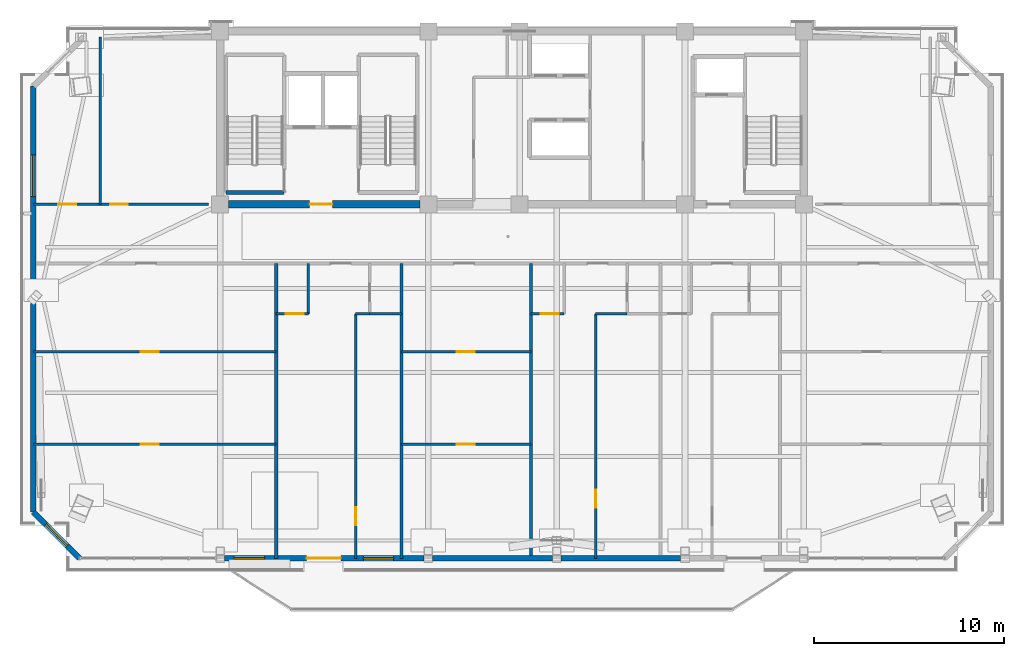
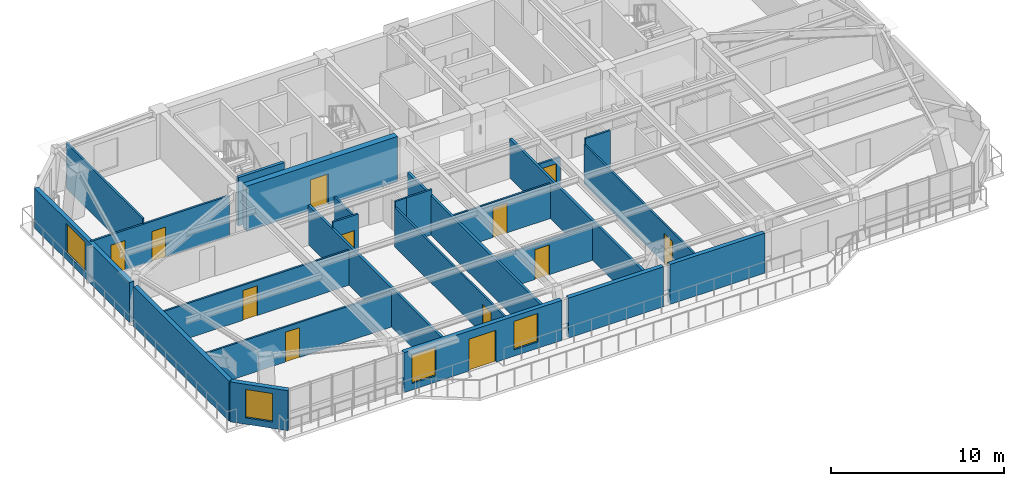
# One storey, part 7 of 15: 25 walls, 12 doors, 4 windows, 16 openings.
"""IFC4 building model written with IfcOpenShell, lengths in metres."""

import ifcopenshell
import ifcopenshell.guid

model = None  # the IFC model being written
_history = None  # IfcOwnerHistory: only IFC2X3 demands one
_inside = {}  # id of a spatial element -> (the spatial element, [elements in it])
_under = {}  # id of a project, library or spatial element -> (it, [spatial elements below it])
_declared = {}  # id of a project -> (the project, [libraries it declares])
_typed = {}  # id of a type object -> (the type object, [elements of that type])
_made_of = {}  # id of a material, layer set ... -> (it, [elements and type objects made of it])


def new_model(schema):
    """Start an empty IFC model of exactly this schema.

    Asked for "IFC4X3", IfcOpenShell would pick the latest addendum, in which some entities
    have other attributes; the version numbers below select the first issue.
    IFC2X3 requires an IfcOwnerHistory on every rooted entity: one is made here for all.
    """
    global model, _history
    if schema == "IFC4X3":
        model = ifcopenshell.file(schema_version=(4, 3, 0, 0))
    else:
        model = ifcopenshell.file(schema=schema)
    _inside.clear()
    _under.clear()
    _declared.clear()
    _typed.clear()
    _made_of.clear()
    _history = None
    if model.schema == "IFC2X3":
        org = make("IfcOrganization", Name="unknown")
        user = make(
            "IfcPersonAndOrganization",
            ThePerson=make("IfcPerson", FamilyName="unknown"),
            TheOrganization=org,
        )
        app = make(
            "IfcApplication",
            ApplicationDeveloper=org,
            Version="unknown",
            ApplicationFullName="unknown",
            ApplicationIdentifier="unknown",
        )
        _history = make(
            "IfcOwnerHistory",
            OwningUser=user,
            OwningApplication=app,
            ChangeAction="ADDED",
            CreationDate=0,
        )
    return model


def make(cls, **values):
    """One entity of the class cls with the attributes given. An attribute that is None is left unset."""
    return model.create_entity(
        cls, **{name: value for name, value in values.items() if value is not None}
    )


def rooted(cls, **values):
    """An entity with a GlobalId (a new one), such as an element, a storey or a relation."""
    return make(cls, GlobalId=ifcopenshell.guid.new(), OwnerHistory=_history, **values)


def si_unit(unit_type, name, prefix=None):
    """IfcSIUnit, for example si_unit("LENGTHUNIT", "METRE", prefix="MILLI")."""
    return make("IfcSIUnit", UnitType=unit_type, Prefix=prefix, Name=name)


def assignment(units):
    """IfcUnitAssignment: the units of a project."""
    return None if units is None else make("IfcUnitAssignment", Units=units)


def point(xyz):
    """IfcCartesianPoint."""
    return None if xyz is None else make("IfcCartesianPoint", Coordinates=xyz)


def direction(xyz):
    """IfcDirection."""
    return None if xyz is None else make("IfcDirection", DirectionRatios=xyz)


def frame(location, z_axis=None, x_axis=None):
    """IfcAxis2Placement3D, a coordinate frame: its origin and axes. An axis left out is left unset."""
    return make(
        "IfcAxis2Placement3D",
        Location=point(location),
        Axis=direction(z_axis),
        RefDirection=direction(x_axis),
    )


def frame_2d(location, x_axis=None):
    """IfcAxis2Placement2D, a coordinate frame in the plane: its origin and x axis."""
    return make(
        "IfcAxis2Placement2D", Location=point(location), RefDirection=direction(x_axis)
    )


def origin():
    """The frame at (0, 0, 0) with its axes left unset."""
    return frame((0.0, 0.0, 0.0))


def place(relative_to, where):
    """IfcLocalPlacement: puts the frame where relative to a parent placement (None: the world)."""
    return make(
        "IfcLocalPlacement", PlacementRelTo=relative_to, RelativePlacement=where
    )


def context(
    kind, dimensions, precision=None, world=None, true_north=None, identifier=None
):
    """IfcGeometricRepresentationContext, for example the 3D "Model" context."""
    return make(
        "IfcGeometricRepresentationContext",
        ContextIdentifier=identifier,
        ContextType=kind,
        CoordinateSpaceDimension=dimensions,
        Precision=precision,
        WorldCoordinateSystem=world,
        TrueNorth=true_north,
    )


def subcontext(parent, identifier, kind, view, scale=None):
    """IfcGeometricRepresentationSubContext, for example "Body" below "Model"."""
    return make(
        "IfcGeometricRepresentationSubContext",
        ContextIdentifier=identifier,
        ContextType=kind,
        ParentContext=parent,
        TargetScale=scale,
        TargetView=view,
    )


def project(units=None, contexts=None):
    """IfcProject with its units and contexts."""
    return rooted(
        "IfcProject",
        Name="project",
        RepresentationContexts=contexts,
        UnitsInContext=assignment(units),
    )


def spatial(cls, under=None, at=None, **own):
    """A site, building, storey or space (cls), placed at a placement, below another one or the project."""
    s = rooted(cls, ObjectPlacement=at, **own)
    if under is not None:
        _under.setdefault(under.id(), (under, []))[1].append(s)
    return s


def profile(cls, at=None, kind="AREA", **sizes):
    """A parametric profile (cls). Its sizes go by their IFC names, for example OverallWidth=200.0."""
    return make(cls, ProfileType=kind, Position=at, **sizes)


def rectangle(**sizes):
    """IfcRectangleProfileDef."""
    return profile("IfcRectangleProfileDef", **sizes)


def extrude(swept, where, along, depth):
    """IfcExtrudedAreaSolid: the profile swept, set in the frame where, extruded along a direction by depth."""
    return make(
        "IfcExtrudedAreaSolid",
        SweptArea=swept,
        Position=where,
        ExtrudedDirection=direction(along),
        Depth=depth,
    )


def shape(context_of_items, identifier, shape_type, items):
    """IfcShapeRepresentation: the items that make up one representation, for example the "Body"."""
    return make(
        "IfcShapeRepresentation",
        ContextOfItems=context_of_items,
        RepresentationIdentifier=identifier,
        RepresentationType=shape_type,
        Items=items,
    )


def source(mapping_origin, context_of_items, identifier, shape_type, items):
    """IfcRepresentationMap: a shape defined once, which mapped items show again and again."""
    return make(
        "IfcRepresentationMap",
        MappingOrigin=mapping_origin,
        MappedRepresentation=shape(context_of_items, identifier, shape_type, items),
    )


def transform(
    local_origin,
    x_axis=None,
    y_axis=None,
    z_axis=None,
    scale=None,
    scale2=None,
    scale3=None,
    uniform=True,
):
    """IfcCartesianTransformationOperator3D, or its non-uniform kind. x_axis, y_axis, z_axis: its Axis1, 2, 3."""
    if uniform:
        return make(
            "IfcCartesianTransformationOperator3D",
            Axis1=direction(x_axis),
            Axis2=direction(y_axis),
            LocalOrigin=point(local_origin),
            Scale=scale,
            Axis3=direction(z_axis),
        )
    return make(
        "IfcCartesianTransformationOperator3DnonUniform",
        Axis1=direction(x_axis),
        Axis2=direction(y_axis),
        LocalOrigin=point(local_origin),
        Scale=scale,
        Axis3=direction(z_axis),
        Scale2=scale2,
        Scale3=scale3,
    )


def mapped(mapping_source, mapping_target):
    """IfcMappedItem: shows the shape of a source again, moved by a transform."""
    return make(
        "IfcMappedItem", MappingSource=mapping_source, MappingTarget=mapping_target
    )


def material(Name=None, Category=None):
    """IfcMaterial."""
    return make("IfcMaterial", Name=Name, Category=Category)


def layer(
    of_material, thickness, ventilated=None, Name=None, Category=None, Priority=None
):
    """IfcMaterialLayer: one layer of a wall or slab, of a material (None: an air gap)."""
    return make(
        "IfcMaterialLayer",
        Material=of_material,
        LayerThickness=thickness,
        IsVentilated=ventilated,
        Name=Name,
        Category=Category,
        Priority=Priority,
    )


def layer_set(layers, Name=None):
    """IfcMaterialLayerSet."""
    return make("IfcMaterialLayerSet", MaterialLayers=layers, LayerSetName=Name)


def made_of(thing, what):
    """Note that an element or type object is made of a material, layer set ...; save() writes the relation."""
    if what is not None:
        _made_of.setdefault(what.id(), (what, []))[1].append(thing)
    return thing


def type_object(cls, material=None, **own):
    """A type object (cls), such as IfcWallType, which elements share."""
    return made_of(rooted(cls, **own), material)


def element(
    cls,
    number,
    at=None,
    inside=None,
    cuts=None,
    type_object=None,
    material=None,
    context=None,
    identifier="Body",
    shape_type=None,
    held_by="IfcProductDefinitionShape",
    body=None,
    shapes=None,
    **own,
):
    """One element of the class cls, such as IfcWall. Its Tag is "e" and its number.

    at: its placement. inside: the storey or other place that contains it. cuts: it is an
    opening in that element (IfcRelVoidsElement). A single representation is given by context,
    identifier, shape_type and body (its items); several are given by shapes. held_by: the class
    of the entity that holds the representations. save() writes the other relations.
    """
    e = rooted(cls, Tag="e%d" % number, ObjectPlacement=at, **own)
    if body is not None:
        shapes = [shape(context, identifier, shape_type, body)]
    if shapes is not None:
        e.Representation = make(held_by, Representations=shapes)
    if inside is not None:
        _inside.setdefault(inside.id(), (inside, []))[1].append(e)
    if cuts is not None:
        rooted(
            "IfcRelVoidsElement", RelatingBuildingElement=cuts, RelatedOpeningElement=e
        )
    if type_object is not None:
        _typed.setdefault(type_object.id(), (type_object, []))[1].append(e)
    return made_of(e, material)


def fill(opening, filler):
    """IfcRelFillsElement: the door or window that sits in an opening."""
    return rooted(
        "IfcRelFillsElement",
        RelatingOpeningElement=opening,
        RelatedBuildingElement=filler,
    )


def aggregate(whole, parts):
    """IfcRelAggregates: a whole, such as a stair, and the parts it consists of."""
    return rooted("IfcRelAggregates", RelatingObject=whole, RelatedObjects=parts)


def save(model, path):
    """Write the relations noted so far, then the file.

    IfcRelAggregates (storeys below a building ...), IfcRelContainedInSpatialStructure (elements
    in a storey), IfcRelDefinesByType, IfcRelAssociatesMaterial and IfcRelDeclares: one each for
    every whole, place, type object, material and project.
    """
    for whole, parts in _under.values():
        aggregate(whole, parts)
    for where, things in _inside.values():
        rooted(
            "IfcRelContainedInSpatialStructure",
            RelatedElements=things,
            RelatingStructure=where,
        )
    for kind, things in _typed.values():
        rooted("IfcRelDefinesByType", RelatedObjects=things, RelatingType=kind)
    for what, things in _made_of.values():
        rooted("IfcRelAssociatesMaterial", RelatedObjects=things, RelatingMaterial=what)
    for by, libraries in _declared.values():
        rooted("IfcRelDeclares", RelatingContext=by, RelatedDefinitions=libraries)
    model.write(path)


model = new_model("IFC4")

# Units and contexts
model_context = context("Model", 3, precision=1e-05, world=origin(), true_north=direction((0.0, 1.0)))
body_context = subcontext(model_context, "Body", "Model", "MODEL_VIEW")
ifc_project = project(units=[si_unit("LENGTHUNIT", "METRE"), si_unit("AREAUNIT", "SQUARE_METRE"), si_unit("VOLUMEUNIT", "CUBIC_METRE"), si_unit("PLANEANGLEUNIT", "RADIAN"), si_unit("MASSUNIT", "GRAM", prefix="KILO")], contexts=[model_context])

# Site, building, storey
site_placement = place(None, origin())
site = spatial("IfcSite", under=ifc_project, at=site_placement, CompositionType="ELEMENT")
building_placement = place(site_placement, origin())
building = spatial("IfcBuilding", under=site, at=building_placement, Name="Giltprow Tower", CompositionType="ELEMENT")
storey_placement = place(building_placement, frame((0.0, 0.0, 300.60009765625)))
storey = spatial("IfcBuildingStorey", under=building, at=storey_placement, Name="L77", CompositionType="ELEMENT", Elevation=300.60009765625)

# Wall, opening, window
ifc_material_1 = material(Name="Precast concrete C40", Category="concrete")
ifc_layer_1 = layer(ifc_material_1, 0.300048828125, Name="Precast concrete C40")
ifc_layer_set_1 = layer_set([ifc_layer_1], Name="Precast concrete C40")
wall_type_1 = type_object("IfcWallType", Name="EW-NOTCH-CHAMFER-300", PredefinedType="SOLIDWALL", material=ifc_layer_set_1)
wall_1_placement = place(storey_placement, frame((10.02392578125, 21.27197265625, 0.0), z_axis=(0.0, 0.0, 1.0), x_axis=(0.707142286536, -0.707071274055, 0.0)))
wall_1 = element("IfcWall", 1, at=wall_1_placement, inside=storey, type_object=wall_type_1, Name="L77 Corner Notch Wall SW", PredefinedType="SOLIDWALL", context=body_context, shape_type="SweptSolid", body=[
    extrude(rectangle(XDim=3.43798828125, YDim=0.300048828125, at=frame_2d((1.718994140625, 0.0))), origin(), (0.0, 0.0, 1.0), 2.81494140625),
])
opening_1_placement = place(wall_1_placement, frame((0.9189453125, 0.0, 0.449951171875)))
opening_1 = element("IfcOpeningElement", 2, at=opening_1_placement, cuts=wall_1, Name="Opening WN17", PredefinedType="OPENING", context=body_context, shape_type="SweptSolid", body=[
    extrude(rectangle(XDim=1.60009765625, YDim=2.0, at=frame_2d((0.800048828125, 1.0))), frame((0.0, 0.159912109375, 0.0), z_axis=(0.0, -1.0, 0.0), x_axis=(1.0, 0.0, 0.0)), (0.0, 0.0, 1.0), 0.320068359375),
])
ifc_material_2 = material(Name="Insulated glass", Category="glass")
window_type_1 = type_object("IfcWindowType", Name="WN-COR-1600x2000", PartitioningType="SINGLE_PANEL", PredefinedType="WINDOW", material=ifc_material_2)
shared_shape_1 = source(origin(), body_context, "Body", "SweptSolid", [
    extrude(rectangle(XDim=1.60009765625, YDim=2.0, at=frame_2d((0.800048828125, 1.0))), frame((0.0, 0.030029296875, 0.0), z_axis=(0.0, -1.0, 0.0), x_axis=(1.0, 0.0, 0.0)), (0.0, 0.0, 1.0), 0.06005859375),
])
window_1_placement = place(opening_1_placement, origin())
window_1 = element("IfcWindow", 3, at=window_1_placement, inside=storey, type_object=window_type_1, Name="L77 Corner Notch Window SW", OverallHeight=2.0, OverallWidth=1.60009765625, PartitioningType="SINGLE_PANEL", PredefinedType="WINDOW", context=body_context, shape_type="MappedRepresentation", body=[
    mapped(shared_shape_1, transform((0.0, 0.0, 0.0), x_axis=(1.0, 0.0, 0.0), y_axis=(0.0, 1.0, 0.0), z_axis=(0.0, 0.0, 1.0), scale=1.0)),
])
fill(opening_1, window_1)

# Wall, openings, windows, door
ifc_layer_2 = layer(ifc_material_1, 0.280029296875, Name="Precast concrete C40")
ifc_layer_set_2 = layer_set([ifc_layer_2], Name="Precast concrete C40")
wall_type_2 = type_object("IfcWallType", Name="EW-TOW-BRONZE-280", PredefinedType="SOLIDWALL", material=ifc_layer_set_2)
wall_2_placement = place(storey_placement, frame((20.074951171875, 18.841064453125, 0.0), z_axis=(0.0, 0.0, 1.0), x_axis=(1.0, 0.0, 0.0)))
wall_2 = element("IfcWall", 4, at=wall_2_placement, inside=storey, type_object=wall_type_2, Name="L77 South Expressed Frame Wall 2", PredefinedType="SOLIDWALL", context=body_context, shape_type="SweptSolid", body=[
    extrude(rectangle(XDim=10.5, YDim=0.280029296875, at=frame_2d((5.25, 0.0))), origin(), (0.0, 0.0, 1.0), 2.81494140625),
])
opening_2_placement = place(wall_2_placement, frame((4.324951171875, 0.0, 0.0)))
opening_2 = element("IfcOpeningElement", 5, at=opening_2_placement, cuts=wall_2, Name="Opening ED25", PredefinedType="OPENING", context=body_context, shape_type="SweptSolid", body=[
    extrude(rectangle(XDim=1.800048828125, YDim=2.25, at=frame_2d((0.89990234375, 1.125))), frame((0.0, 0.14990234375, 0.0), z_axis=(0.0, -1.0, 0.0), x_axis=(1.0, 0.0, 0.0)), (0.0, 0.0, 1.0), 0.300048828125),
])
opening_3_placement = place(wall_2_placement, frame((0.51708984375, 0.0, 0.449951171875)))
opening_3 = element("IfcOpeningElement", 6, at=opening_3_placement, cuts=wall_2, Name="Opening WN17", PredefinedType="OPENING", context=body_context, shape_type="SweptSolid", body=[
    extrude(rectangle(XDim=1.60009765625, YDim=2.0, at=frame_2d((0.800048828125, 1.0))), frame((0.0, 0.14990234375, 0.0), z_axis=(0.0, -1.0, 0.0), x_axis=(1.0, 0.0, 0.0)), (0.0, 0.0, 1.0), 0.300048828125),
])
opening_4_placement = place(wall_2_placement, frame((7.304931640625, 0.0, 0.449951171875)))
opening_4 = element("IfcOpeningElement", 7, at=opening_4_placement, cuts=wall_2, Name="Opening WN17", PredefinedType="OPENING", context=body_context, shape_type="SweptSolid", body=[
    extrude(rectangle(XDim=1.60009765625, YDim=2.0, at=frame_2d((0.800048828125, 1.0))), frame((0.0, 0.14990234375, 0.0), z_axis=(0.0, -1.0, 0.0), x_axis=(1.0, 0.0, 0.0)), (0.0, 0.0, 1.0), 0.300048828125),
])
window_2_placement = place(opening_3_placement, origin())
window_2 = element("IfcWindow", 8, at=window_2_placement, inside=storey, type_object=window_type_1, Name="L77 South Window 2A", OverallHeight=2.0, OverallWidth=1.60009765625, PartitioningType="SINGLE_PANEL", PredefinedType="WINDOW", context=body_context, shape_type="MappedRepresentation", body=[
    mapped(shared_shape_1, transform((0.0, 0.0, 0.0), x_axis=(1.0, 0.0, 0.0), y_axis=(0.0, 1.0, 0.0), z_axis=(0.0, 0.0, 1.0), scale=1.0)),
])
fill(opening_3, window_2)
window_3_placement = place(opening_4_placement, origin())
window_3 = element("IfcWindow", 9, at=window_3_placement, inside=storey, type_object=window_type_1, Name="L77 South Window 2B", OverallHeight=2.0, OverallWidth=1.60009765625, PartitioningType="SINGLE_PANEL", PredefinedType="WINDOW", context=body_context, shape_type="MappedRepresentation", body=[
    mapped(shared_shape_1, transform((0.0, 0.0, 0.0), x_axis=(1.0, 0.0, 0.0), y_axis=(0.0, 1.0, 0.0), z_axis=(0.0, 0.0, 1.0), scale=1.0)),
])
fill(opening_4, window_3)
ifc_material_3 = material(Name="Anodized bronze and glass", Category="glass")
door_type_1 = type_object("IfcDoorType", Name="DR-BALC-SLIDE-1800", OperationType="SLIDING_TO_LEFT", PredefinedType="DOOR", material=ifc_material_3)
shared_shape_2 = source(origin(), body_context, "Body", "SweptSolid", [
    extrude(rectangle(XDim=1.800048828125, YDim=2.25, at=frame_2d((0.89990234375, 1.125))), frame((0.0, 0.02490234375, 0.0), z_axis=(0.0, -1.0, 0.0), x_axis=(1.0, 0.0, 0.0)), (0.0, 0.0, 1.0), 0.050048828125),
])
door_1_placement = place(opening_2_placement, origin())
door_1 = element("IfcDoor", 10, at=door_1_placement, inside=storey, type_object=door_type_1, Name="L77 Waterfront Balcony Sliding Door 1", OperationType="SLIDING_TO_LEFT", OverallHeight=2.25, OverallWidth=1.800048828125, PredefinedType="DOOR", context=body_context, shape_type="MappedRepresentation", body=[
    mapped(shared_shape_2, transform((0.0, 0.0, 0.0), x_axis=(1.0, 0.0, 0.0), y_axis=(0.0, 1.0, 0.0), z_axis=(0.0, 0.0, 1.0), scale=1.0)),
])
fill(opening_2, door_1)

# Walls
for number, where, z_axis, x_axis, name in (
    (11, (31.02490234375, 18.841064453125, 0.0), (0.0, 0.0, 1.0), (1.0, 0.0, 0.0), "L77 South Expressed Frame Wall 3"),
    (12, (37.77490234375, 18.841064453125, 0.0), (0.0, 0.0, 1.0), (1.0, 0.0, 0.0), "L77 South Expressed Frame Wall 4"),
):
    element("IfcWall", number, at=place(storey_placement, frame(where, z_axis=z_axis, x_axis=x_axis)), inside=storey, type_object=wall_type_2, Name=name, PredefinedType="SOLIDWALL", context=body_context, shape_type="SweptSolid", body=[
        extrude(rectangle(XDim=6.300048828125, YDim=0.280029296875, at=frame_2d((3.14990234375, 0.0))), origin(), (0.0, 0.0, 1.0), 2.81494140625),
    ])
wall_3_placement = place(storey_placement, frame((10.02392578125, 21.27197265625, 0.0), z_axis=(0.0, 0.0, 1.0), x_axis=(0.0, 1.0, 0.0)))
element("IfcWall", 13, at=wall_3_placement, inside=storey, type_object=wall_type_2, Name="L77 W Wing Masonry Wall 1", PredefinedType="SOLIDWALL", context=body_context, shape_type="SweptSolid", body=[
    extrude(rectangle(XDim=10.97412109375, YDim=0.280029296875, at=frame_2d((5.487060546875, 0.0))), origin(), (0.0, 0.0, 1.0), 2.81494140625),
])

# Wall, opening, window
wall_4_placement = place(storey_placement, frame((10.02392578125, 32.696044921875, 0.0), z_axis=(0.0, 0.0, 1.0), x_axis=(0.0, 1.0, 0.0)))
wall_4 = element("IfcWall", 14, at=wall_4_placement, inside=storey, type_object=wall_type_2, Name="L77 W Wing Masonry Wall 2", PredefinedType="SOLIDWALL", context=body_context, shape_type="SweptSolid", body=[
    extrude(rectangle(XDim=10.972900390625, YDim=0.280029296875, at=frame_2d((5.486328125, 0.0))), origin(), (0.0, 0.0, 1.0), 2.81494140625),
])
opening_5_placement = place(wall_4_placement, frame((5.158935546875, 0.0, 0.449951171875)))
opening_5 = element("IfcOpeningElement", 15, at=opening_5_placement, cuts=wall_4, Name="Opening WN27", PredefinedType="OPENING", context=body_context, shape_type="SweptSolid", body=[
    extrude(rectangle(XDim=2.199951171875, YDim=2.10009765625, at=frame_2d((1.10009765625, 1.050048828125))), frame((0.0, 0.14990234375, 0.0), z_axis=(0.0, -1.0, 0.0), x_axis=(1.0, 0.0, 0.0)), (0.0, 0.0, 1.0), 0.300048828125),
])
window_type_2 = type_object("IfcWindowType", Name="WN-RES-2200x2100", PartitioningType="TRIPLE_PANEL_VERTICAL", PredefinedType="WINDOW", material=ifc_material_2)
shared_shape_3 = source(origin(), body_context, "Body", "SweptSolid", [
    extrude(rectangle(XDim=2.199951171875, YDim=2.10009765625, at=frame_2d((1.10009765625, 1.050048828125))), frame((0.0, 0.030029296875, 0.0), z_axis=(0.0, -1.0, 0.0), x_axis=(1.0, 0.0, 0.0)), (0.0, 0.0, 1.0), 0.06005859375),
])
window_4_placement = place(opening_5_placement, origin())
window_4 = element("IfcWindow", 16, at=window_4_placement, inside=storey, type_object=window_type_2, Name="L77 W Wing Window 2-1", OverallHeight=2.10009765625, OverallWidth=2.199951171875, PartitioningType="SINGLE_PANEL", PredefinedType="WINDOW", context=body_context, shape_type="MappedRepresentation", body=[
    mapped(shared_shape_3, transform((0.0, 0.0, 0.0), x_axis=(1.0, 0.0, 0.0), y_axis=(0.0, 1.0, 0.0), z_axis=(0.0, 0.0, 1.0), scale=1.0)),
])
fill(opening_5, window_4)

# Walls
ifc_material_4 = material(Name="Gypsum stud partition", Category="gypsum")
ifc_layer_3 = layer(ifc_material_4, 0.159912109375, Name="Gypsum stud partition")
ifc_layer_set_3 = layer_set([ifc_layer_3], Name="Gypsum stud partition")
wall_type_3 = type_object("IfcWallType", Name="IW-DEMISE-160", PredefinedType="PARTITIONING", material=ifc_layer_set_3)
for number, where, z_axis, x_axis, name in (
    (17, (22.800048828125, 18.841064453125, 0.0), (0.0, 0.0, 1.0), (0.0, 1.0, 0.0), "L77 Apartment Party Wall 1"),
    (18, (29.39990234375, 18.841064453125, 0.0), (0.0, 0.0, 1.0), (0.0, 1.0, 0.0), "L77 Apartment Party Wall 2"),
    (19, (36.199951171875, 18.841064453125, 0.0), (0.0, 0.0, 1.0), (0.0, 1.0, 0.0), "L77 Apartment Party Wall 3"),
):
    element("IfcWall", number, at=place(storey_placement, frame(where, z_axis=z_axis, x_axis=x_axis)), inside=storey, type_object=wall_type_3, Name=name, PredefinedType="PARTITIONING", context=body_context, shape_type="SweptSolid", body=[
        extrude(rectangle(XDim=15.509033203125, YDim=0.159912109375, at=frame_2d((7.75439453125, 0.0))), origin(), (0.0, 0.0, 1.0), 2.77001953125),
    ])

# Wall, opening, door
ifc_layer_4 = layer(ifc_material_4, 0.1201171875, Name="Gypsum stud partition")
ifc_layer_set_4 = layer_set([ifc_layer_4], Name="Gypsum stud partition")
wall_type_4 = type_object("IfcWallType", Name="IW-ROOM-120", PredefinedType="PARTITIONING", material=ifc_layer_set_4)
wall_5_placement = place(storey_placement, frame((10.02392578125, 24.8330078125, 0.0), z_axis=(0.0, 0.0, 1.0), x_axis=(1.0, 0.0, 0.0)))
wall_5 = element("IfcWall", 20, at=wall_5_placement, inside=storey, type_object=wall_type_4, Name="L77 Special Split 1", PredefinedType="PARTITIONING", context=body_context, shape_type="SweptSolid", body=[
    extrude(rectangle(XDim=12.776123046875, YDim=0.1201171875, at=frame_2d((6.38818359375, 0.0))), origin(), (0.0, 0.0, 1.0), 2.469970703125),
])
opening_6_placement = place(wall_5_placement, frame((5.64599609375, 0.0, 0.0)))
opening_6 = element("IfcOpeningElement", 21, at=opening_6_placement, cuts=wall_5, Name="Opening ID11", PredefinedType="OPENING", context=body_context, shape_type="SweptSolid", body=[
    extrude(rectangle(XDim=0.949951171875, YDim=2.10009765625, at=frame_2d((0.47509765625, 1.050048828125))), frame((0.0, 0.070068359375, 0.0), z_axis=(0.0, -1.0, 0.0), x_axis=(1.0, 0.0, 0.0)), (0.0, 0.0, 1.0), 0.14013671875),
])
ifc_material_5 = material(Name="Engineered timber", Category="wood")
door_type_2 = type_object("IfcDoorType", Name="DR-ROOM-950", OperationType="SINGLE_SWING_RIGHT", PredefinedType="DOOR", material=ifc_material_5)
shared_shape_4 = source(origin(), body_context, "Body", "SweptSolid", [
    extrude(rectangle(XDim=0.949951171875, YDim=2.10009765625, at=frame_2d((0.47509765625, 1.050048828125))), frame((0.0, 0.02490234375, 0.0), z_axis=(0.0, -1.0, 0.0), x_axis=(1.0, 0.0, 0.0)), (0.0, 0.0, 1.0), 0.050048828125),
])
door_2_placement = place(opening_6_placement, origin())
door_2 = element("IfcDoor", 22, at=door_2_placement, inside=storey, type_object=door_type_2, Name="L77 Altitude Pilates Gym 1 South Door", OperationType="SINGLE_SWING_LEFT", OverallHeight=2.10009765625, OverallWidth=0.949951171875, PredefinedType="DOOR", context=body_context, shape_type="MappedRepresentation", body=[
    mapped(shared_shape_4, transform((0.0, 0.0, 0.0), x_axis=(1.0, 0.0, 0.0), y_axis=(0.0, 1.0, 0.0), z_axis=(0.0, 0.0, 1.0), scale=1.0)),
])
fill(opening_6, door_2)

wall_6_placement = place(storey_placement, frame((10.02392578125, 29.695068359375, 0.0), z_axis=(0.0, 0.0, 1.0), x_axis=(1.0, 0.0, 0.0)))
wall_6 = element("IfcWall", 23, at=wall_6_placement, inside=storey, type_object=wall_type_4, Name="L77 Special Split 2", PredefinedType="PARTITIONING", context=body_context, shape_type="SweptSolid", body=[
    extrude(rectangle(XDim=12.776123046875, YDim=0.1201171875, at=frame_2d((6.38818359375, 0.0))), origin(), (0.0, 0.0, 1.0), 2.469970703125),
])
opening_7_placement = place(wall_6_placement, frame((5.64599609375, 0.0, 0.0)))
opening_7 = element("IfcOpeningElement", 24, at=opening_7_placement, cuts=wall_6, Name="Opening ID11", PredefinedType="OPENING", context=body_context, shape_type="SweptSolid", body=[
    extrude(rectangle(XDim=0.949951171875, YDim=2.10009765625, at=frame_2d((0.47509765625, 1.050048828125))), frame((0.0, 0.070068359375, 0.0), z_axis=(0.0, -1.0, 0.0), x_axis=(1.0, 0.0, 0.0)), (0.0, 0.0, 1.0), 0.14013671875),
])
door_3_placement = place(opening_7_placement, origin())
door_3 = element("IfcDoor", 25, at=door_3_placement, inside=storey, type_object=door_type_2, Name="L77 Altitude Pilates Gym 1 Mid Door", OperationType="SINGLE_SWING_RIGHT", OverallHeight=2.10009765625, OverallWidth=0.949951171875, PredefinedType="DOOR", context=body_context, shape_type="MappedRepresentation", body=[
    mapped(shared_shape_4, transform((0.0, 0.0, 0.0), x_axis=(1.0, 0.0, 0.0), y_axis=(0.0, 1.0, 0.0), z_axis=(0.0, 0.0, 1.0), scale=1.0)),
])
fill(opening_7, door_3)

# Wall
wall_7_placement = place(storey_placement, frame((26.97998046875, 31.699951171875, 0.0), z_axis=(0.0, 0.0, 1.0), x_axis=(1.0, 0.0, 0.0)))
element("IfcWall", 26, at=wall_7_placement, inside=storey, type_object=wall_type_4, Name="L77 Unit 1 Bedroom North Wall", PredefinedType="PARTITIONING", context=body_context, shape_type="SweptSolid", body=[
    extrude(rectangle(XDim=0.72998046875, YDim=0.1201171875, at=frame_2d((0.364990234375, 0.0))), origin(), (0.0, 0.0, 1.0), 3.184814453125),
])

# Wall, opening, door
wall_8_placement = place(storey_placement, frame((26.97998046875, 18.841064453125, 0.0), z_axis=(0.0, 0.0, 1.0), x_axis=(0.0, 1.0, 0.0)))
wall_8 = element("IfcWall", 27, at=wall_8_placement, inside=storey, type_object=wall_type_4, Name="L77 Unit 1 Bedroom Wall", PredefinedType="PARTITIONING", context=body_context, shape_type="SweptSolid", body=[
    extrude(rectangle(XDim=12.85888671875, YDim=0.1201171875, at=frame_2d((6.429443359375, 0.0))), origin(), (0.0, 0.0, 1.0), 2.77001953125),
])
opening_8_placement = place(wall_8_placement, frame((1.73095703125, 0.0, 0.0)))
opening_8 = element("IfcOpeningElement", 28, at=opening_8_placement, cuts=wall_8, Name="Opening ID11", PredefinedType="OPENING", context=body_context, shape_type="SweptSolid", body=[
    extrude(rectangle(XDim=0.949951171875, YDim=2.10009765625, at=frame_2d((0.47509765625, 1.050048828125))), frame((0.0, 0.070068359375, 0.0), z_axis=(0.0, -1.0, 0.0), x_axis=(1.0, 0.0, 0.0)), (0.0, 0.0, 1.0), 0.14013671875),
])
door_4_placement = place(opening_8_placement, origin())
door_4 = element("IfcDoor", 29, at=door_4_placement, inside=storey, type_object=door_type_2, Name="L77 Unit 1 Primary Bedroom Door", OperationType="SINGLE_SWING_LEFT", OverallHeight=2.10009765625, OverallWidth=0.949951171875, PredefinedType="DOOR", context=body_context, shape_type="MappedRepresentation", body=[
    mapped(shared_shape_4, transform((0.0, 0.0, 0.0), x_axis=(1.0, 0.0, 0.0), y_axis=(0.0, 1.0, 0.0), z_axis=(0.0, 0.0, 1.0), scale=1.0)),
])
fill(opening_8, door_4)

wall_9_placement = place(storey_placement, frame((29.39990234375, 24.8330078125, 0.0), z_axis=(0.0, 0.0, 1.0), x_axis=(1.0, 0.0, 0.0)))
wall_9 = element("IfcWall", 30, at=wall_9_placement, inside=storey, type_object=wall_type_4, Name="L77 Special Split 1", PredefinedType="PARTITIONING", context=body_context, shape_type="SweptSolid", body=[
    extrude(rectangle(XDim=6.800048828125, YDim=0.1201171875, at=frame_2d((3.39990234375, 0.0))), origin(), (0.0, 0.0, 1.0), 2.469970703125),
])
opening_9_placement = place(wall_9_placement, frame((2.885986328125, 0.0, 0.0)))
opening_9 = element("IfcOpeningElement", 31, at=opening_9_placement, cuts=wall_9, Name="Opening ID11", PredefinedType="OPENING", context=body_context, shape_type="SweptSolid", body=[
    extrude(rectangle(XDim=0.949951171875, YDim=2.10009765625, at=frame_2d((0.47509765625, 1.050048828125))), frame((0.0, 0.070068359375, 0.0), z_axis=(0.0, -1.0, 0.0), x_axis=(1.0, 0.0, 0.0)), (0.0, 0.0, 1.0), 0.14013671875),
])
door_5_placement = place(opening_9_placement, origin())
door_5 = element("IfcDoor", 32, at=door_5_placement, inside=storey, type_object=door_type_2, Name="L77 Meditation Gym 2 South Door", OperationType="SINGLE_SWING_RIGHT", OverallHeight=2.10009765625, OverallWidth=0.949951171875, PredefinedType="DOOR", context=body_context, shape_type="MappedRepresentation", body=[
    mapped(shared_shape_4, transform((0.0, 0.0, 0.0), x_axis=(1.0, 0.0, 0.0), y_axis=(0.0, 1.0, 0.0), z_axis=(0.0, 0.0, 1.0), scale=1.0)),
])
fill(opening_9, door_5)

wall_10_placement = place(storey_placement, frame((29.39990234375, 29.695068359375, 0.0), z_axis=(0.0, 0.0, 1.0), x_axis=(1.0, 0.0, 0.0)))
wall_10 = element("IfcWall", 33, at=wall_10_placement, inside=storey, type_object=wall_type_4, Name="L77 Special Split 2", PredefinedType="PARTITIONING", context=body_context, shape_type="SweptSolid", body=[
    extrude(rectangle(XDim=6.800048828125, YDim=0.1201171875, at=frame_2d((3.39990234375, 0.0))), origin(), (0.0, 0.0, 1.0), 2.469970703125),
])
opening_10_placement = place(wall_10_placement, frame((2.885986328125, 0.0, 0.0)))
opening_10 = element("IfcOpeningElement", 34, at=opening_10_placement, cuts=wall_10, Name="Opening ID11", PredefinedType="OPENING", context=body_context, shape_type="SweptSolid", body=[
    extrude(rectangle(XDim=0.949951171875, YDim=2.10009765625, at=frame_2d((0.47509765625, 1.050048828125))), frame((0.0, 0.070068359375, 0.0), z_axis=(0.0, -1.0, 0.0), x_axis=(1.0, 0.0, 0.0)), (0.0, 0.0, 1.0), 0.14013671875),
])
door_6_placement = place(opening_10_placement, origin())
door_6 = element("IfcDoor", 35, at=door_6_placement, inside=storey, type_object=door_type_2, Name="L77 Meditation Gym 2 Mid Door", OperationType="SINGLE_SWING_LEFT", OverallHeight=2.10009765625, OverallWidth=0.949951171875, PredefinedType="DOOR", context=body_context, shape_type="MappedRepresentation", body=[
    mapped(shared_shape_4, transform((0.0, 0.0, 0.0), x_axis=(1.0, 0.0, 0.0), y_axis=(0.0, 1.0, 0.0), z_axis=(0.0, 0.0, 1.0), scale=1.0)),
])
fill(opening_10, door_6)

# Wall
wall_11_placement = place(storey_placement, frame((39.60009765625, 31.699951171875, 0.0), z_axis=(0.0, 0.0, 1.0), x_axis=(1.0, 0.0, 0.0)))
element("IfcWall", 36, at=wall_11_placement, inside=storey, type_object=wall_type_4, Name="L77 Unit 2 Bedroom North Wall", PredefinedType="PARTITIONING", context=body_context, shape_type="SweptSolid", body=[
    extrude(rectangle(XDim=1.659912109375, YDim=0.1201171875, at=frame_2d((0.830078125, 0.0))), origin(), (0.0, 0.0, 1.0), 3.184814453125),
])

# Wall, opening, door
wall_12_placement = place(storey_placement, frame((39.60009765625, 18.841064453125, 0.0), z_axis=(0.0, 0.0, 1.0), x_axis=(0.0, 1.0, 0.0)))
wall_12 = element("IfcWall", 37, at=wall_12_placement, inside=storey, type_object=wall_type_4, Name="L77 Unit 2 Bedroom Wall", PredefinedType="PARTITIONING", context=body_context, shape_type="SweptSolid", body=[
    extrude(rectangle(XDim=12.85888671875, YDim=0.1201171875, at=frame_2d((6.429443359375, 0.0))), origin(), (0.0, 0.0, 1.0), 2.77001953125),
])
opening_11_placement = place(wall_12_placement, frame((2.65087890625, 0.0, 0.0)))
opening_11 = element("IfcOpeningElement", 38, at=opening_11_placement, cuts=wall_12, Name="Opening ID11", PredefinedType="OPENING", context=body_context, shape_type="SweptSolid", body=[
    extrude(rectangle(XDim=0.949951171875, YDim=2.10009765625, at=frame_2d((0.47509765625, 1.050048828125))), frame((0.0, 0.070068359375, 0.0), z_axis=(0.0, -1.0, 0.0), x_axis=(1.0, 0.0, 0.0)), (0.0, 0.0, 1.0), 0.14013671875),
])
door_7_placement = place(opening_11_placement, origin())
door_7 = element("IfcDoor", 39, at=door_7_placement, inside=storey, type_object=door_type_2, Name="L77 Unit 2 Primary Bedroom Door", OperationType="SINGLE_SWING_RIGHT", OverallHeight=2.10009765625, OverallWidth=0.949951171875, PredefinedType="DOOR", context=body_context, shape_type="MappedRepresentation", body=[
    mapped(shared_shape_4, transform((0.0, 0.0, 0.0), x_axis=(1.0, 0.0, 0.0), y_axis=(0.0, 1.0, 0.0), z_axis=(0.0, 0.0, 1.0), scale=1.0)),
])
fill(opening_11, door_7)

# Wall
ifc_material_6 = material(Name="Concrete C40", Category="concrete")
ifc_layer_5 = layer(ifc_material_6, 0.199951171875, Name="Concrete C40")
ifc_layer_set_5 = layer_set([ifc_layer_5], Name="Concrete C40")
wall_type_5 = type_object("IfcWallType", Name="IW-STAIR-200", PredefinedType="SOLIDWALL", material=ifc_layer_set_5)
wall_13_placement = place(storey_placement, frame((20.169921875, 38.070068359375, 0.0), z_axis=(0.0, 0.0, 1.0), x_axis=(1.0, 0.0, 0.0)))
element("IfcWall", 40, at=wall_13_placement, inside=storey, type_object=wall_type_5, Name="L77 Stair ST-1 South Bearing Wall", PredefinedType="SOLIDWALL", context=body_context, shape_type="SweptSolid", body=[
    extrude(rectangle(XDim=3.050048828125, YDim=0.199951171875, at=frame_2d((1.52490234375, 0.0))), origin(), (0.0, 0.0, 1.0), 3.39990234375),
])

# Wall, opening, door
ifc_material_7 = material(Name="Concrete C30", Category="concrete")
ifc_layer_6 = layer(ifc_material_7, 0.1298828125, Name="Concrete C30")
ifc_layer_set_6 = layer_set([ifc_layer_6], Name="Concrete C30")
wall_type_6 = type_object("IfcWallType", Name="IW-WET-130", PredefinedType="PARTITIONING", material=ifc_layer_set_6)
wall_14_placement = place(storey_placement, frame((22.800048828125, 31.699951171875, 0.0), z_axis=(0.0, 0.0, 1.0), x_axis=(1.0, 0.0, 0.0)))
wall_14 = element("IfcWall", 41, at=wall_14_placement, inside=storey, type_object=wall_type_6, Name="L77 Unit 1 Kitchen South Wall", PredefinedType="PARTITIONING", context=body_context, shape_type="SweptSolid", body=[
    extrude(rectangle(XDim=1.68994140625, YDim=0.1298828125, at=frame_2d((0.844970703125, 0.0))), origin(), (0.0, 0.0, 1.0), 3.184814453125),
])
opening_12_placement = place(wall_14_placement, frame((0.489990234375, 0.0, 0.0)))
opening_12 = element("IfcOpeningElement", 42, at=opening_12_placement, cuts=wall_14, Name="Opening ID11", PredefinedType="OPENING", context=body_context, shape_type="SweptSolid", body=[
    extrude(rectangle(XDim=0.949951171875, YDim=2.10009765625, at=frame_2d((0.47509765625, 1.050048828125))), frame((0.0, 0.074951171875, 0.0), z_axis=(0.0, -1.0, 0.0), x_axis=(1.0, 0.0, 0.0)), (0.0, 0.0, 1.0), 0.14990234375),
])
door_8_placement = place(opening_12_placement, origin())
door_8 = element("IfcDoor", 43, at=door_8_placement, inside=storey, type_object=door_type_2, Name="L77 Unit 1 Kitchen Door", OperationType="SINGLE_SWING_LEFT", OverallHeight=2.10009765625, OverallWidth=0.949951171875, PredefinedType="DOOR", context=body_context, shape_type="MappedRepresentation", body=[
    mapped(shared_shape_4, transform((0.0, 0.0, 0.0), x_axis=(1.0, 0.0, 0.0), y_axis=(0.0, 1.0, 0.0), z_axis=(0.0, 0.0, 1.0), scale=1.0)),
])
fill(opening_12, door_8)

# Walls
wall_15_placement = place(storey_placement, frame((24.489990234375, 31.699951171875, 0.0), z_axis=(0.0, 0.0, 1.0), x_axis=(0.0, 1.0, 0.0)))
element("IfcWall", 44, at=wall_15_placement, inside=storey, type_object=wall_type_6, Name="L77 Unit 1 Kitchen East Wall", PredefinedType="PARTITIONING", context=body_context, shape_type="SweptSolid", body=[
    extrude(rectangle(XDim=2.650146484375, YDim=0.1298828125, at=frame_2d((1.3251953125, 0.0))), origin(), (0.0, 0.0, 1.0), 2.77001953125),
])
wall_16_placement = place(storey_placement, frame((27.7099609375, 31.699951171875, 0.0), z_axis=(0.0, 0.0, 1.0), x_axis=(1.0, 0.0, 0.0)))
element("IfcWall", 45, at=wall_16_placement, inside=storey, type_object=wall_type_6, Name="L77 Unit 1 Bathroom South Wall", PredefinedType="PARTITIONING", context=body_context, shape_type="SweptSolid", body=[
    extrude(rectangle(XDim=1.68994140625, YDim=0.1298828125, at=frame_2d((0.844970703125, 0.0))), origin(), (0.0, 0.0, 1.0), 3.184814453125),
])

# Wall, opening, door
wall_17_placement = place(storey_placement, frame((36.199951171875, 31.699951171875, 0.0), z_axis=(0.0, 0.0, 1.0), x_axis=(1.0, 0.0, 0.0)))
wall_17 = element("IfcWall", 46, at=wall_17_placement, inside=storey, type_object=wall_type_6, Name="L77 Unit 2 Kitchen South Wall", PredefinedType="PARTITIONING", context=body_context, shape_type="SweptSolid", body=[
    extrude(rectangle(XDim=1.739990234375, YDim=0.1298828125, at=frame_2d((0.8701171875, 0.0))), origin(), (0.0, 0.0, 1.0), 2.469970703125),
])
opening_13_placement = place(wall_17_placement, frame((0.514892578125, 0.0, 0.0)))
opening_13 = element("IfcOpeningElement", 47, at=opening_13_placement, cuts=wall_17, Name="Opening ID11", PredefinedType="OPENING", context=body_context, shape_type="SweptSolid", body=[
    extrude(rectangle(XDim=0.949951171875, YDim=2.10009765625, at=frame_2d((0.47509765625, 1.050048828125))), frame((0.0, 0.074951171875, 0.0), z_axis=(0.0, -1.0, 0.0), x_axis=(1.0, 0.0, 0.0)), (0.0, 0.0, 1.0), 0.14990234375),
])
door_9_placement = place(opening_13_placement, origin())
door_9 = element("IfcDoor", 48, at=door_9_placement, inside=storey, type_object=door_type_2, Name="L77 Unit 2 Kitchen Door", OperationType="SINGLE_SWING_RIGHT", OverallHeight=2.10009765625, OverallWidth=0.949951171875, PredefinedType="DOOR", context=body_context, shape_type="MappedRepresentation", body=[
    mapped(shared_shape_4, transform((0.0, 0.0, 0.0), x_axis=(1.0, 0.0, 0.0), y_axis=(0.0, 1.0, 0.0), z_axis=(0.0, 0.0, 1.0), scale=1.0)),
])
fill(opening_13, door_9)

# Wall, openings, doors
wall_18_placement = place(storey_placement, frame((10.02392578125, 37.449951171875, 0.0), z_axis=(0.0, 0.0, 1.0), x_axis=(1.0, 0.0, 0.0)))
wall_18 = element("IfcWall", 49, at=wall_18_placement, inside=storey, type_object=wall_type_6, Name="L77 NW Wing South Wall", PredefinedType="PARTITIONING", context=body_context, shape_type="SweptSolid", body=[
    extrude(rectangle(XDim=9.22607421875, YDim=0.1298828125, at=frame_2d((4.613037109375, 0.0))), origin(), (0.0, 0.0, 1.0), 2.81982421875),
])
opening_14_placement = place(wall_18_placement, frame((1.31591796875, 0.0, 0.0)))
opening_14 = element("IfcOpeningElement", 50, at=opening_14_placement, cuts=wall_18, Name="Opening ID11", PredefinedType="OPENING", context=body_context, shape_type="SweptSolid", body=[
    extrude(rectangle(XDim=0.949951171875, YDim=2.10009765625, at=frame_2d((0.47509765625, 1.050048828125))), frame((0.0, 0.074951171875, 0.0), z_axis=(0.0, -1.0, 0.0), x_axis=(1.0, 0.0, 0.0)), (0.0, 0.0, 1.0), 0.14990234375),
])
opening_15_placement = place(wall_18_placement, frame((4.05908203125, 0.0, 0.0)))
opening_15 = element("IfcOpeningElement", 51, at=opening_15_placement, cuts=wall_18, Name="Opening ID15", PredefinedType="OPENING", context=body_context, shape_type="SweptSolid", body=[
    extrude(rectangle(XDim=0.89990234375, YDim=2.10009765625, at=frame_2d((0.449951171875, 1.050048828125))), frame((0.0, 0.074951171875, 0.0), z_axis=(0.0, -1.0, 0.0), x_axis=(1.0, 0.0, 0.0)), (0.0, 0.0, 1.0), 0.14990234375),
])
door_type_3 = type_object("IfcDoorType", Name="DR-WC-900", OperationType="SINGLE_SWING_LEFT", PredefinedType="DOOR", material=ifc_material_5)
shared_shape_5 = source(origin(), body_context, "Body", "SweptSolid", [
    extrude(rectangle(XDim=0.89990234375, YDim=2.10009765625, at=frame_2d((0.449951171875, 1.050048828125))), frame((0.0, 0.02490234375, 0.0), z_axis=(0.0, -1.0, 0.0), x_axis=(1.0, 0.0, 0.0)), (0.0, 0.0, 1.0), 0.050048828125),
])
door_10_placement = place(opening_15_placement, origin())
door_10 = element("IfcDoor", 52, at=door_10_placement, inside=storey, type_object=door_type_3, Name="L77 NW Washroom Door", OperationType="SINGLE_SWING_LEFT", OverallHeight=2.10009765625, OverallWidth=0.89990234375, PredefinedType="DOOR", context=body_context, shape_type="MappedRepresentation", body=[
    mapped(shared_shape_5, transform((0.0, 0.0, 0.0), x_axis=(1.0, 0.0, 0.0), y_axis=(0.0, 1.0, 0.0), z_axis=(0.0, 0.0, 1.0), scale=1.0)),
])
fill(opening_15, door_10)
door_11_placement = place(opening_14_placement, origin())
door_11 = element("IfcDoor", 53, at=door_11_placement, inside=storey, type_object=door_type_2, Name="L77 Residents Study Office West Door", OperationType="SINGLE_SWING_RIGHT", OverallHeight=2.10009765625, OverallWidth=0.949951171875, PredefinedType="DOOR", context=body_context, shape_type="MappedRepresentation", body=[
    mapped(shared_shape_4, transform((0.0, 0.0, 0.0), x_axis=(1.0, 0.0, 0.0), y_axis=(0.0, 1.0, 0.0), z_axis=(0.0, 0.0, 1.0), scale=1.0)),
])
fill(opening_14, door_11)

# Wall
wall_19_placement = place(storey_placement, frame((13.532958984375, 37.449951171875, 0.0), z_axis=(0.0, 0.0, 1.0), x_axis=(0.0, 1.0, 0.0)))
element("IfcWall", 54, at=wall_19_placement, inside=storey, type_object=wall_type_6, Name="L77 NW Wing Divider", PredefinedType="PARTITIONING", context=body_context, shape_type="SweptSolid", body=[
    extrude(rectangle(XDim=8.800048828125, YDim=0.1298828125, at=frame_2d((4.39990234375, 0.0))), origin(), (0.0, 0.0, 1.0), 3.184814453125),
])

# Wall, opening, door
ifc_material_8 = material(Name="Concrete C45", Category="concrete")
ifc_layer_7 = layer(ifc_material_8, 0.39990234375, Name="Concrete C45")
ifc_layer_set_7 = layer_set([ifc_layer_7], Name="Concrete C45")
wall_type_7 = type_object("IfcWallType", Name="SW-INT-400-C45", PredefinedType="SHEAR", material=ifc_layer_set_7)
wall_20_placement = place(storey_placement, frame((20.300048828125, 37.449951171875, 0.0), z_axis=(0.0, 0.0, 1.0), x_axis=(1.0, 0.0, 0.0)))
wall_20 = element("IfcWall", 55, at=wall_20_placement, inside=storey, type_object=wall_type_7, Name="L77 South Rear Core Shear Wall West", PredefinedType="SHEAR", context=body_context, shape_type="SweptSolid", body=[
    extrude(rectangle(XDim=10.050048828125, YDim=0.39990234375, at=frame_2d((5.02490234375, 0.0))), origin(), (0.0, 0.0, 1.0), 3.184814453125),
])
opening_16_placement = place(wall_20_placement, frame((4.25, 0.0, 0.0)))
opening_16 = element("IfcOpeningElement", 56, at=opening_16_placement, cuts=wall_20, Name="Opening ID19", PredefinedType="OPENING", context=body_context, shape_type="SweptSolid", body=[
    extrude(rectangle(XDim=1.199951171875, YDim=2.14990234375, at=frame_2d((0.60009765625, 1.074951171875))), frame((0.0, 0.2099609375, 0.0), z_axis=(0.0, -1.0, 0.0), x_axis=(1.0, 0.0, 0.0)), (0.0, 0.0, 1.0), 0.419921875),
])
ifc_material_9 = material(Name="Steel fire leaf", Category="steel")
door_type_4 = type_object("IfcDoorType", Name="DR-FFLOBBY-1200", OperationType="SINGLE_SWING_RIGHT", PredefinedType="DOOR", material=ifc_material_9)
shared_shape_6 = source(origin(), body_context, "Body", "SweptSolid", [
    extrude(rectangle(XDim=1.199951171875, YDim=2.14990234375, at=frame_2d((0.60009765625, 1.074951171875))), frame((0.0, 0.02490234375, 0.0), z_axis=(0.0, -1.0, 0.0), x_axis=(1.0, 0.0, 0.0)), (0.0, 0.0, 1.0), 0.050048828125),
])
door_12_placement = place(opening_16_placement, origin())
door_12 = element("IfcDoor", 57, at=door_12_placement, inside=storey, type_object=door_type_4, Name="L77 West Firefighting Lobby Entry Door", OperationType="SINGLE_SWING_RIGHT", OverallHeight=2.14990234375, OverallWidth=1.199951171875, PredefinedType="DOOR", context=body_context, shape_type="MappedRepresentation", body=[
    mapped(shared_shape_6, transform((0.0, 0.0, 0.0), x_axis=(1.0, 0.0, 0.0), y_axis=(0.0, 1.0, 0.0), z_axis=(0.0, 0.0, 1.0), scale=1.0)),
])
fill(opening_16, door_12)

save(model, "model.ifc")
